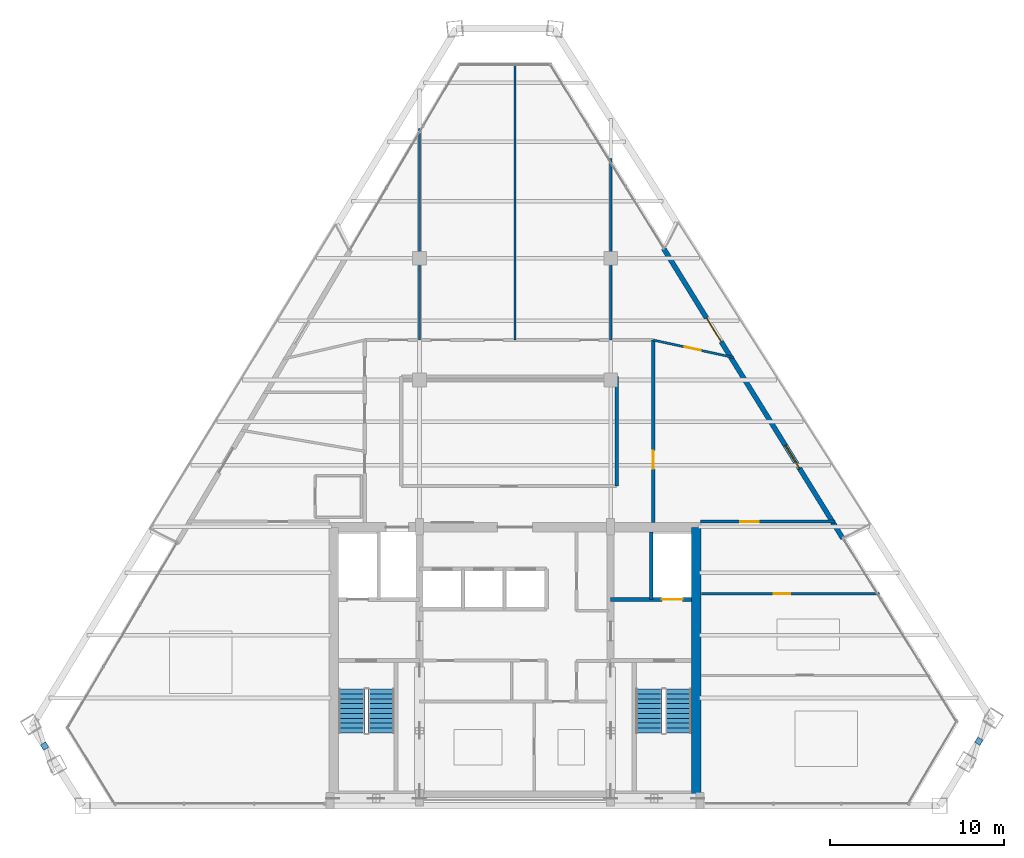
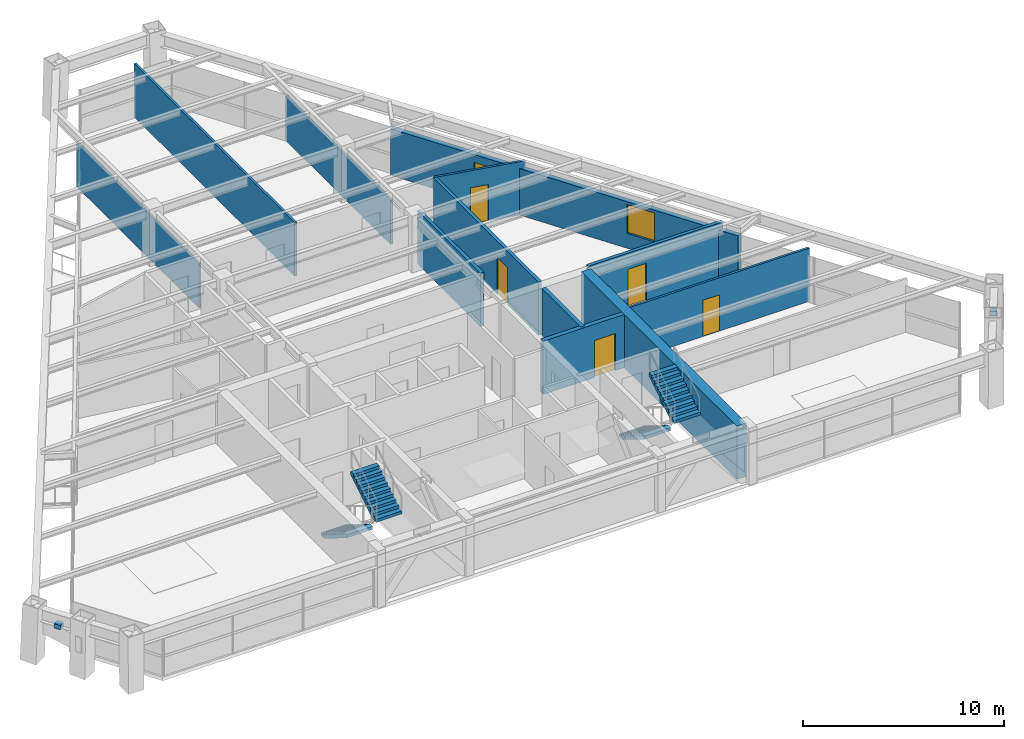
# One storey, part 11 of 13: 12 walls, 6 doors, 4 stair flights, 2 discrete accessories, 1 window, 7 openings, 2 elements without a shape of their own.
"""IFC4 building model written with IfcOpenShell, lengths in metres."""

import ifcopenshell
import ifcopenshell.guid

model = None  # the IFC model being written
_history = None  # IfcOwnerHistory: only IFC2X3 demands one
_inside = {}  # id of a spatial element -> (the spatial element, [elements in it])
_under = {}  # id of a project, library or spatial element -> (it, [spatial elements below it])
_declared = {}  # id of a project -> (the project, [libraries it declares])
_typed = {}  # id of a type object -> (the type object, [elements of that type])
_made_of = {}  # id of a material, layer set ... -> (it, [elements and type objects made of it])


def new_model(schema):
    """Start an empty IFC model of exactly this schema.

    Asked for "IFC4X3", IfcOpenShell would pick the latest addendum, in which some entities
    have other attributes; the version numbers below select the first issue.
    IFC2X3 requires an IfcOwnerHistory on every rooted entity: one is made here for all.
    """
    global model, _history
    if schema == "IFC4X3":
        model = ifcopenshell.file(schema_version=(4, 3, 0, 0))
    else:
        model = ifcopenshell.file(schema=schema)
    _inside.clear()
    _under.clear()
    _declared.clear()
    _typed.clear()
    _made_of.clear()
    _history = None
    if model.schema == "IFC2X3":
        org = make("IfcOrganization", Name="unknown")
        user = make(
            "IfcPersonAndOrganization",
            ThePerson=make("IfcPerson", FamilyName="unknown"),
            TheOrganization=org,
        )
        app = make(
            "IfcApplication",
            ApplicationDeveloper=org,
            Version="unknown",
            ApplicationFullName="unknown",
            ApplicationIdentifier="unknown",
        )
        _history = make(
            "IfcOwnerHistory",
            OwningUser=user,
            OwningApplication=app,
            ChangeAction="ADDED",
            CreationDate=0,
        )
    return model


def make(cls, **values):
    """One entity of the class cls with the attributes given. An attribute that is None is left unset."""
    return model.create_entity(
        cls, **{name: value for name, value in values.items() if value is not None}
    )


def rooted(cls, **values):
    """An entity with a GlobalId (a new one), such as an element, a storey or a relation."""
    return make(cls, GlobalId=ifcopenshell.guid.new(), OwnerHistory=_history, **values)


def si_unit(unit_type, name, prefix=None):
    """IfcSIUnit, for example si_unit("LENGTHUNIT", "METRE", prefix="MILLI")."""
    return make("IfcSIUnit", UnitType=unit_type, Prefix=prefix, Name=name)


def assignment(units):
    """IfcUnitAssignment: the units of a project."""
    return None if units is None else make("IfcUnitAssignment", Units=units)


def point(xyz):
    """IfcCartesianPoint."""
    return None if xyz is None else make("IfcCartesianPoint", Coordinates=xyz)


def direction(xyz):
    """IfcDirection."""
    return None if xyz is None else make("IfcDirection", DirectionRatios=xyz)


def frame(location, z_axis=None, x_axis=None):
    """IfcAxis2Placement3D, a coordinate frame: its origin and axes. An axis left out is left unset."""
    return make(
        "IfcAxis2Placement3D",
        Location=point(location),
        Axis=direction(z_axis),
        RefDirection=direction(x_axis),
    )


def frame_2d(location, x_axis=None):
    """IfcAxis2Placement2D, a coordinate frame in the plane: its origin and x axis."""
    return make(
        "IfcAxis2Placement2D", Location=point(location), RefDirection=direction(x_axis)
    )


def origin():
    """The frame at (0, 0, 0) with its axes left unset."""
    return frame((0.0, 0.0, 0.0))


def origin_2d():
    """The frame at (0, 0) in the plane with its x axis left unset."""
    return frame_2d((0.0, 0.0))


def place(relative_to, where):
    """IfcLocalPlacement: puts the frame where relative to a parent placement (None: the world)."""
    return make(
        "IfcLocalPlacement", PlacementRelTo=relative_to, RelativePlacement=where
    )


def context(
    kind, dimensions, precision=None, world=None, true_north=None, identifier=None
):
    """IfcGeometricRepresentationContext, for example the 3D "Model" context."""
    return make(
        "IfcGeometricRepresentationContext",
        ContextIdentifier=identifier,
        ContextType=kind,
        CoordinateSpaceDimension=dimensions,
        Precision=precision,
        WorldCoordinateSystem=world,
        TrueNorth=true_north,
    )


def subcontext(parent, identifier, kind, view, scale=None):
    """IfcGeometricRepresentationSubContext, for example "Body" below "Model"."""
    return make(
        "IfcGeometricRepresentationSubContext",
        ContextIdentifier=identifier,
        ContextType=kind,
        ParentContext=parent,
        TargetScale=scale,
        TargetView=view,
    )


def project(units=None, contexts=None):
    """IfcProject with its units and contexts."""
    return rooted(
        "IfcProject",
        Name="project",
        RepresentationContexts=contexts,
        UnitsInContext=assignment(units),
    )


def spatial(cls, under=None, at=None, **own):
    """A site, building, storey or space (cls), placed at a placement, below another one or the project."""
    s = rooted(cls, ObjectPlacement=at, **own)
    if under is not None:
        _under.setdefault(under.id(), (under, []))[1].append(s)
    return s


def polyline(points):
    """IfcPolyline through the points."""
    return make("IfcPolyline", Points=[point(p) for p in points])


def profile(cls, at=None, kind="AREA", **sizes):
    """A parametric profile (cls). Its sizes go by their IFC names, for example OverallWidth=200.0."""
    return make(cls, ProfileType=kind, Position=at, **sizes)


def rectangle(**sizes):
    """IfcRectangleProfileDef."""
    return profile("IfcRectangleProfileDef", **sizes)


def outline(outer, holes=None, kind="AREA"):
    """IfcArbitraryClosedProfileDef: a profile drawn as a closed curve; with holes, ...WithVoids."""
    if holes is None:
        return make("IfcArbitraryClosedProfileDef", ProfileType=kind, OuterCurve=outer)
    return make(
        "IfcArbitraryProfileDefWithVoids",
        ProfileType=kind,
        OuterCurve=outer,
        InnerCurves=holes,
    )


def extrude(swept, where, along, depth):
    """IfcExtrudedAreaSolid: the profile swept, set in the frame where, extruded along a direction by depth."""
    return make(
        "IfcExtrudedAreaSolid",
        SweptArea=swept,
        Position=where,
        ExtrudedDirection=direction(along),
        Depth=depth,
    )


def shape(context_of_items, identifier, shape_type, items):
    """IfcShapeRepresentation: the items that make up one representation, for example the "Body"."""
    return make(
        "IfcShapeRepresentation",
        ContextOfItems=context_of_items,
        RepresentationIdentifier=identifier,
        RepresentationType=shape_type,
        Items=items,
    )


def source(mapping_origin, context_of_items, identifier, shape_type, items):
    """IfcRepresentationMap: a shape defined once, which mapped items show again and again."""
    return make(
        "IfcRepresentationMap",
        MappingOrigin=mapping_origin,
        MappedRepresentation=shape(context_of_items, identifier, shape_type, items),
    )


def transform(
    local_origin,
    x_axis=None,
    y_axis=None,
    z_axis=None,
    scale=None,
    scale2=None,
    scale3=None,
    uniform=True,
):
    """IfcCartesianTransformationOperator3D, or its non-uniform kind. x_axis, y_axis, z_axis: its Axis1, 2, 3."""
    if uniform:
        return make(
            "IfcCartesianTransformationOperator3D",
            Axis1=direction(x_axis),
            Axis2=direction(y_axis),
            LocalOrigin=point(local_origin),
            Scale=scale,
            Axis3=direction(z_axis),
        )
    return make(
        "IfcCartesianTransformationOperator3DnonUniform",
        Axis1=direction(x_axis),
        Axis2=direction(y_axis),
        LocalOrigin=point(local_origin),
        Scale=scale,
        Axis3=direction(z_axis),
        Scale2=scale2,
        Scale3=scale3,
    )


def mapped(mapping_source, mapping_target):
    """IfcMappedItem: shows the shape of a source again, moved by a transform."""
    return make(
        "IfcMappedItem", MappingSource=mapping_source, MappingTarget=mapping_target
    )


def material(Name=None, Category=None):
    """IfcMaterial."""
    return make("IfcMaterial", Name=Name, Category=Category)


def layer(
    of_material, thickness, ventilated=None, Name=None, Category=None, Priority=None
):
    """IfcMaterialLayer: one layer of a wall or slab, of a material (None: an air gap)."""
    return make(
        "IfcMaterialLayer",
        Material=of_material,
        LayerThickness=thickness,
        IsVentilated=ventilated,
        Name=Name,
        Category=Category,
        Priority=Priority,
    )


def layer_set(layers, Name=None):
    """IfcMaterialLayerSet."""
    return make("IfcMaterialLayerSet", MaterialLayers=layers, LayerSetName=Name)


def made_of(thing, what):
    """Note that an element or type object is made of a material, layer set ...; save() writes the relation."""
    if what is not None:
        _made_of.setdefault(what.id(), (what, []))[1].append(thing)
    return thing


def type_object(cls, material=None, **own):
    """A type object (cls), such as IfcWallType, which elements share."""
    return made_of(rooted(cls, **own), material)


def type_shapes(of_type, sources):
    """Give a type object the sources (RepresentationMaps) that its elements show as mapped items."""
    of_type.RepresentationMaps = sources


def element(
    cls,
    number,
    at=None,
    inside=None,
    cuts=None,
    type_object=None,
    material=None,
    context=None,
    identifier="Body",
    shape_type=None,
    held_by="IfcProductDefinitionShape",
    body=None,
    shapes=None,
    **own,
):
    """One element of the class cls, such as IfcWall. Its Tag is "e" and its number.

    at: its placement. inside: the storey or other place that contains it. cuts: it is an
    opening in that element (IfcRelVoidsElement). A single representation is given by context,
    identifier, shape_type and body (its items); several are given by shapes. held_by: the class
    of the entity that holds the representations. save() writes the other relations.
    """
    e = rooted(cls, Tag="e%d" % number, ObjectPlacement=at, **own)
    if body is not None:
        shapes = [shape(context, identifier, shape_type, body)]
    if shapes is not None:
        e.Representation = make(held_by, Representations=shapes)
    if inside is not None:
        _inside.setdefault(inside.id(), (inside, []))[1].append(e)
    if cuts is not None:
        rooted(
            "IfcRelVoidsElement", RelatingBuildingElement=cuts, RelatedOpeningElement=e
        )
    if type_object is not None:
        _typed.setdefault(type_object.id(), (type_object, []))[1].append(e)
    return made_of(e, material)


def fill(opening, filler):
    """IfcRelFillsElement: the door or window that sits in an opening."""
    return rooted(
        "IfcRelFillsElement",
        RelatingOpeningElement=opening,
        RelatedBuildingElement=filler,
    )


def aggregate(whole, parts):
    """IfcRelAggregates: a whole, such as a stair, and the parts it consists of."""
    return rooted("IfcRelAggregates", RelatingObject=whole, RelatedObjects=parts)


def save(model, path):
    """Write the relations noted so far, then the file.

    IfcRelAggregates (storeys below a building ...), IfcRelContainedInSpatialStructure (elements
    in a storey), IfcRelDefinesByType, IfcRelAssociatesMaterial and IfcRelDeclares: one each for
    every whole, place, type object, material and project.
    """
    for whole, parts in _under.values():
        aggregate(whole, parts)
    for where, things in _inside.values():
        rooted(
            "IfcRelContainedInSpatialStructure",
            RelatedElements=things,
            RelatingStructure=where,
        )
    for kind, things in _typed.values():
        rooted("IfcRelDefinesByType", RelatedObjects=things, RelatingType=kind)
    for what, things in _made_of.values():
        rooted("IfcRelAssociatesMaterial", RelatedObjects=things, RelatingMaterial=what)
    for by, libraries in _declared.values():
        rooted("IfcRelDeclares", RelatingContext=by, RelatedDefinitions=libraries)
    model.write(path)


model = new_model("IFC4")

# Units and contexts
model_context = context("Model", 3, precision=1e-05, world=origin(), true_north=direction((0.0, 1.0)))
body_context = subcontext(model_context, "Body", "Model", "MODEL_VIEW")
ifc_project = project(units=[si_unit("LENGTHUNIT", "METRE"), si_unit("AREAUNIT", "SQUARE_METRE"), si_unit("VOLUMEUNIT", "CUBIC_METRE"), si_unit("PLANEANGLEUNIT", "RADIAN"), si_unit("MASSUNIT", "GRAM", prefix="KILO")], contexts=[model_context])

# Site, building, storey
site_placement = place(None, origin())
site = spatial("IfcSite", under=ifc_project, at=site_placement, CompositionType="ELEMENT")
building_placement = place(site_placement, origin())
building = spatial("IfcBuilding", under=site, at=building_placement, Name="Varnakhor Terracotta Tower", CompositionType="ELEMENT")
storey_placement = place(building_placement, frame((0.0, 0.0, 237.25)))
storey = spatial("IfcBuildingStorey", under=building, at=storey_placement, Name="L61", CompositionType="ELEMENT", Elevation=237.25)

# Walls
ifc_material_1 = material(Name="Concrete C50/60", Category="concrete")
ifc_layer_1 = layer(ifc_material_1, 0.550048828125, Name="Concrete C50/60")
ifc_layer_set_1 = layer_set([ifc_layer_1], Name="Concrete C50/60")
wall_type_1 = type_object("IfcWallType", Name="WAL-CORE-550", PredefinedType="SHEAR", material=ifc_layer_set_1)
wall_1_placement = place(storey_placement, frame((10.425048828125, 0.574951171875, 0.0), z_axis=(0.0, 0.0, 1.0), x_axis=(0.0, 1.0, 0.0)))
element("IfcWall", 1, at=wall_1_placement, inside=storey, type_object=wall_type_1, Name="L61 East Core Shear Wall", PredefinedType="SHEAR", context=body_context, shape_type="SweptSolid", body=[
    extrude(rectangle(XDim=15.449951171875, YDim=0.550048828125, at=frame_2d((7.72509765625, 0.0))), origin(), (0.0, 0.0, 1.0), 3.239990234375),
])
ifc_material_2 = material(Name="Fire-Rated Gypsum Stud Partition", Category="gypsum")
ifc_layer_2 = layer(ifc_material_2, 0.18505859375, Name="Fire-Rated Gypsum Stud Partition")
ifc_layer_set_2 = layer_set([ifc_layer_2], Name="Fire-Rated Gypsum Stud Partition")
wall_type_2 = type_object("IfcWallType", Name="WAL-CORR-185", PredefinedType="PARTITIONING", material=ifc_layer_set_2)
wall_2_placement = place(storey_placement, frame((5.85009765625, 18.39990234375, 0.0), z_axis=(0.0, 0.0, 1.0), x_axis=(0.0, 1.0, 0.0)))
element("IfcWall", 2, at=wall_2_placement, inside=storey, type_object=wall_type_2, Name="L61 Ring Inner East Wall", PredefinedType="PARTITIONING", context=body_context, shape_type="SweptSolid", body=[
    extrude(rectangle(XDim=6.300048828125, YDim=0.18505859375, at=frame_2d((3.14990234375, 0.0))), origin(), (0.0, 0.0, 1.0), 3.23193359375),
])

# Wall, opening, door
wall_3_placement = place(storey_placement, frame((7.949951171875, 16.300048828125, 0.0), z_axis=(0.0, 0.0, 1.0), x_axis=(0.0, 1.0, 0.0)))
wall_3 = element("IfcWall", 3, at=wall_3_placement, inside=storey, type_object=wall_type_2, Name="L61 Hotel East Corridor Wall", PredefinedType="PARTITIONING", context=body_context, shape_type="SweptSolid", body=[
    extrude(rectangle(XDim=10.5, YDim=0.18505859375, at=frame_2d((5.25, 0.0))), origin(), (0.0, 0.0, 1.0), 3.23193359375),
])
opening_1_placement = place(wall_3_placement, frame((3.08837890625, 0.0, 0.0)))
opening_1 = element("IfcOpeningElement", 4, at=opening_1_placement, cuts=wall_3, Name="Opening DR-95", PredefinedType="OPENING", context=body_context, shape_type="SweptSolid", body=[
    extrude(rectangle(XDim=1.050048828125, YDim=2.25, at=frame_2d((0.52490234375, 1.125))), frame((0.0, 0.1025390625, 0.0), z_axis=(0.0, -1.0, 0.0), x_axis=(1.0, 0.0, 0.0)), (0.0, 0.0, 1.0), 0.205078125),
])
ifc_material_3 = material(Name="Solid-Core Timber Tenant/Hotel Entrance Door", Category="wood")
door_type_1 = type_object("IfcDoorType", Name="DR-SUITE-1050X2250", OperationType="NOTDEFINED", PredefinedType="DOOR", material=ifc_material_3)
shared_shape_1 = source(origin(), body_context, "Body", "SweptSolid", [
    extrude(rectangle(XDim=1.050048828125, YDim=2.25, at=frame_2d((0.52490234375, 1.125))), frame((0.0, 0.02490234375, 0.0), z_axis=(0.0, -1.0, 0.0), x_axis=(1.0, 0.0, 0.0)), (0.0, 0.0, 1.0), 0.050048828125),
])
type_shapes(door_type_1, [shared_shape_1])
door_1_placement = place(opening_1_placement, origin())
door_1 = element("IfcDoor", 5, at=door_1_placement, inside=storey, type_object=door_type_1, Name="L61 East Room 1 Entry Door", OperationType="SINGLE_SWING_LEFT", OverallHeight=2.25, OverallWidth=1.050048828125, PredefinedType="DOOR", context=body_context, shape_type="MappedRepresentation", body=[
    mapped(shared_shape_1, transform((0.0, 0.0, 0.0), scale=1.0)),
])
fill(opening_1, door_1)

wall_4_placement = place(storey_placement, frame((10.679931640625, 16.35009765625, 0.0), z_axis=(0.0, 0.0, 1.0), x_axis=(1.0, 0.0, 0.0)))
wall_4 = element("IfcWall", 6, at=wall_4_placement, inside=storey, type_object=wall_type_2, Name="L61 South East Guest Entry Wall", PredefinedType="PARTITIONING", context=body_context, shape_type="SweptSolid", body=[
    extrude(rectangle(XDim=7.7373046875, YDim=0.18505859375, at=frame_2d((3.86865234375, 0.0))), origin(), (0.0, 0.0, 1.0), 3.23193359375),
])
opening_2_placement = place(wall_4_placement, frame((2.284912109375, 0.0, 0.0)))
opening_2 = element("IfcOpeningElement", 7, at=opening_2_placement, cuts=wall_4, Name="Opening DR-95", PredefinedType="OPENING", context=body_context, shape_type="SweptSolid", body=[
    extrude(rectangle(XDim=1.050048828125, YDim=2.25, at=frame_2d((0.52490234375, 1.125))), frame((0.0, 0.1025390625, 0.0), z_axis=(0.0, -1.0, 0.0), x_axis=(1.0, 0.0, 0.0)), (0.0, 0.0, 1.0), 0.205078125),
])
door_2_placement = place(opening_2_placement, origin())
door_2 = element("IfcDoor", 8, at=door_2_placement, inside=storey, type_object=door_type_1, Name="L61 SE Suite Entry Door", OperationType="SINGLE_SWING_RIGHT", OverallHeight=2.25, OverallWidth=1.050048828125, PredefinedType="DOOR", context=body_context, shape_type="MappedRepresentation", body=[
    mapped(shared_shape_1, transform((0.0, 0.0, 0.0), scale=1.0)),
])
fill(opening_2, door_2)

# Wall, openings, door, window
ifc_material_4 = material(Name="Extruded Architectural Terracotta Assembly", Category="masonry")
ifc_layer_3 = layer(ifc_material_4, 0.280029296875, Name="Extruded Architectural Terracotta Assembly")
ifc_layer_set_3 = layer_set([ifc_layer_3], Name="Extruded Architectural Terracotta Assembly")
wall_type_3 = type_object("IfcWallType", Name="WAL-EXT-TERRACOTTA-280", PredefinedType="SOLIDWALL", material=ifc_layer_set_3)
wall_5_placement = place(storey_placement, frame((8.544677734375, 32.07177734375, 0.0), z_axis=(0.0, 0.0, 1.0), x_axis=(0.52585107611, -0.850576654837, 0.0)))
wall_5 = element("IfcWall", 9, at=wall_5_placement, inside=storey, type_object=wall_type_3, Name="L61 E Loggia Insulated Terracotta Wall", PredefinedType="SOLIDWALL", context=body_context, shape_type="SweptSolid", body=[
    extrude(rectangle(XDim=19.6162109375, YDim=0.280029296875, at=frame_2d((9.80810546875, 0.0))), origin(), (0.0, 0.0, 1.0), 2.820068359375),
])
opening_3_placement = place(wall_5_placement, frame((4.7080078125, 0.0, 0.0)))
opening_3 = element("IfcOpeningElement", 10, at=opening_3_placement, cuts=wall_5, Name="Opening DR-62", PredefinedType="OPENING", context=body_context, shape_type="SweptSolid", body=[
    extrude(rectangle(XDim=1.60009765625, YDim=2.35009765625, at=frame_2d((0.800048828125, 1.175048828125))), frame((0.0, 0.14990234375, 0.0), z_axis=(0.0, -1.0, 0.0), x_axis=(1.0, 0.0, 0.0)), (0.0, 0.0, 1.0), 0.300048828125),
])
opening_4_placement = place(wall_5_placement, frame((13.339111328125, 0.0, 0.89990234375)))
opening_4 = element("IfcOpeningElement", 11, at=opening_4_placement, cuts=wall_5, Name="Opening WN-59", PredefinedType="OPENING", context=body_context, shape_type="SweptSolid", body=[
    extrude(rectangle(XDim=1.550048828125, YDim=1.75, at=frame_2d((0.77490234375, 0.875))), frame((0.0, 0.14990234375, 0.0), z_axis=(0.0, -1.0, 0.0), x_axis=(1.0, 0.0, 0.0)), (0.0, 0.0, 1.0), 0.300048828125),
])
ifc_material_5 = material(Name="Thermally Broken Sliding Glass Loggia Door", Category="glass")
door_type_2 = type_object("IfcDoorType", Name="DR-EXT-LOGGIA-1600X2350", OperationType="NOTDEFINED", PredefinedType="DOOR", material=ifc_material_5)
shared_shape_2 = source(origin(), body_context, "Body", "SweptSolid", [
    extrude(rectangle(XDim=1.60009765625, YDim=2.35009765625, at=frame_2d((0.800048828125, 1.175048828125))), frame((0.0, 0.02490234375, 0.0), z_axis=(0.0, -1.0, 0.0), x_axis=(1.0, 0.0, 0.0)), (0.0, 0.0, 1.0), 0.050048828125),
])
type_shapes(door_type_2, [shared_shape_2])
door_3_placement = place(opening_3_placement, origin())
door_3 = element("IfcDoor", 12, at=door_3_placement, inside=storey, type_object=door_type_2, Name="L61 E Recessed Loggia Sliding Door", OperationType="SLIDING_TO_RIGHT", OverallHeight=2.35009765625, OverallWidth=1.60009765625, PredefinedType="DOOR", context=body_context, shape_type="MappedRepresentation", body=[
    mapped(shared_shape_2, transform((0.0, 0.0, 0.0), scale=1.0)),
])
fill(opening_3, door_3)
ifc_material_6 = material(Name="Solar-Control Low-E Insulated Glass Unit", Category="glass")
window_type = type_object("IfcWindowType", Name="WIN-HTL-1500X1950", PartitioningType="SINGLE_PANEL", PredefinedType="WINDOW", material=ifc_material_6)
shared_shape_3 = source(origin(), body_context, "Body", "SweptSolid", [
    extrude(rectangle(XDim=1.550048828125, YDim=1.75, at=frame_2d((0.77490234375, 0.875))), frame((0.0, 0.030029296875, 0.0), z_axis=(0.0, -1.0, 0.0), x_axis=(1.0, 0.0, 0.0)), (0.0, 0.0, 1.0), 0.06005859375),
])
type_shapes(window_type, [shared_shape_3])
window_placement = place(opening_4_placement, origin())
window = element("IfcWindow", 13, at=window_placement, inside=storey, type_object=window_type, Name="L61 E Facet Punched Window", OverallHeight=1.75, OverallWidth=1.550048828125, PartitioningType="SINGLE_PANEL", PredefinedType="WINDOW", context=body_context, shape_type="MappedRepresentation", body=[
    mapped(shared_shape_3, transform((0.0, 0.0, 0.0), scale=1.0)),
])
fill(opening_4, window)

# Wall, opening, door
ifc_material_7 = material(Name="Acoustic Hotel Room Partition", Category="gypsum")
ifc_layer_4 = layer(ifc_material_7, 0.1298828125, Name="Acoustic Hotel Room Partition")
ifc_layer_set_4 = layer_set([ifc_layer_4], Name="Acoustic Hotel Room Partition")
wall_type_4 = type_object("IfcWallType", Name="WAL-PART-130", PredefinedType="PARTITIONING", material=ifc_layer_set_4)
wall_6_placement = place(storey_placement, frame((7.949951171875, 26.800048828125, 0.0), z_axis=(0.0, 0.0, 1.0), x_axis=(0.977283281689, -0.211937224976, 0.0)))
wall_6 = element("IfcWall", 14, at=wall_6_placement, inside=storey, type_object=wall_type_4, Name="L61 North East Suite South Wall", PredefinedType="PARTITIONING", context=body_context, shape_type="SweptSolid", body=[
    extrude(rectangle(XDim=4.734619140625, YDim=0.1298828125, at=frame_2d((2.3671875, 0.0))), origin(), (0.0, 0.0, 1.0), 3.23193359375),
])
opening_5_placement = place(wall_6_placement, frame((1.84912109375, 0.0, 0.0)))
opening_5 = element("IfcOpeningElement", 15, at=opening_5_placement, cuts=wall_6, Name="Opening DR-94", PredefinedType="OPENING", context=body_context, shape_type="SweptSolid", body=[
    extrude(rectangle(XDim=0.949951171875, YDim=2.199951171875, at=frame_2d((0.47509765625, 1.10009765625))), frame((0.0, 0.074951171875, 0.0), z_axis=(0.0, -1.0, 0.0), x_axis=(1.0, 0.0, 0.0)), (0.0, 0.0, 1.0), 0.14990234375),
])
ifc_material_8 = material(Name="Acoustic Glazed-Vision Timber Office Door", Category="wood")
door_type_3 = type_object("IfcDoorType", Name="DR-OFF-950X2200", OperationType="NOTDEFINED", PredefinedType="DOOR", material=ifc_material_8)
shared_shape_4 = source(origin(), body_context, "Body", "SweptSolid", [
    extrude(rectangle(XDim=0.949951171875, YDim=2.199951171875, at=frame_2d((0.47509765625, 1.10009765625))), frame((0.0, 0.02490234375, 0.0), z_axis=(0.0, -1.0, 0.0), x_axis=(1.0, 0.0, 0.0)), (0.0, 0.0, 1.0), 0.050048828125),
])
type_shapes(door_type_3, [shared_shape_4])
door_4_placement = place(opening_5_placement, origin())
door_4 = element("IfcDoor", 16, at=door_4_placement, inside=storey, type_object=door_type_3, Name="L61 Club Concierge Reception NE Door", OperationType="SINGLE_SWING_LEFT", OverallHeight=2.199951171875, OverallWidth=0.949951171875, PredefinedType="DOOR", context=body_context, shape_type="MappedRepresentation", body=[
    mapped(shared_shape_4, transform((0.0, 0.0, 0.0), scale=1.0)),
])
fill(opening_5, door_4)

# Walls
wall_7_placement = place(storey_placement, frame((-5.5, 26.800048828125, 0.0), z_axis=(0.0, 0.0, 1.0), x_axis=(0.0, 1.0, 0.0)))
element("IfcWall", 17, at=wall_7_placement, inside=storey, type_object=wall_type_4, Name="L61 North West Column Wall", PredefinedType="PARTITIONING", context=body_context, shape_type="SweptSolid", body=[
    extrude(rectangle(XDim=12.168701171875, YDim=0.1298828125, at=frame_2d((6.08447265625, 0.0))), origin(), (0.0, 0.0, 1.0), 2.68310546875),
])
wall_8_placement = place(storey_placement, frame((5.5, 26.800048828125, 0.0), z_axis=(0.0, 0.0, 1.0), x_axis=(0.0, 1.0, 0.0)))
element("IfcWall", 18, at=wall_8_placement, inside=storey, type_object=wall_type_4, Name="L61 North East Column Wall", PredefinedType="PARTITIONING", context=body_context, shape_type="SweptSolid", body=[
    extrude(rectangle(XDim=10.443603515625, YDim=0.1298828125, at=frame_2d((5.2216796875, 0.0))), origin(), (0.0, 0.0, 1.0), 2.68310546875),
])
wall_9_placement = place(storey_placement, frame((0.0, 26.800048828125, 0.0), z_axis=(0.0, 0.0, 1.0), x_axis=(0.0, 1.0, 0.0)))
element("IfcWall", 19, at=wall_9_placement, inside=storey, type_object=wall_type_4, Name="L61 North Suite Split 1", PredefinedType="PARTITIONING", context=body_context, shape_type="SweptSolid", body=[
    extrude(rectangle(XDim=15.953125, YDim=0.1298828125, at=frame_2d((7.9765625, 0.0))), origin(), (0.0, 0.0, 1.0), 3.23193359375),
])

# Wall, opening, door
wall_10_placement = place(storey_placement, frame((10.719970703125, 12.199951171875, 0.0), z_axis=(0.0, 0.0, 1.0), x_axis=(1.0, 0.0, 0.0)))
wall_10 = element("IfcWall", 20, at=wall_10_placement, inside=storey, type_object=wall_type_4, Name="L61 SE Key Split 2", PredefinedType="PARTITIONING", context=body_context, shape_type="SweptSolid", body=[
    extrude(rectangle(XDim=10.262939453125, YDim=0.1298828125, at=frame_2d((5.13134765625, 0.0))), origin(), (0.0, 0.0, 1.0), 3.23193359375),
])
opening_6_placement = place(wall_10_placement, frame((4.17724609375, 0.0, 0.0)))
opening_6 = element("IfcOpeningElement", 21, at=opening_6_placement, cuts=wall_10, Name="Opening DR-94", PredefinedType="OPENING", context=body_context, shape_type="SweptSolid", body=[
    extrude(rectangle(XDim=0.949951171875, YDim=2.199951171875, at=frame_2d((0.47509765625, 1.10009765625))), frame((0.0, 0.074951171875, 0.0), z_axis=(0.0, -1.0, 0.0), x_axis=(1.0, 0.0, 0.0)), (0.0, 0.0, 1.0), 0.14990234375),
])
door_5_placement = place(opening_6_placement, origin())
door_5 = element("IfcDoor", 22, at=door_5_placement, inside=storey, type_object=door_type_3, Name="L61 SE Suite Connect Door 2", OperationType="SINGLE_SWING_RIGHT", OverallHeight=2.199951171875, OverallWidth=0.949951171875, PredefinedType="DOOR", context=body_context, shape_type="MappedRepresentation", body=[
    mapped(shared_shape_4, transform((0.0, 0.0, 0.0), scale=1.0)),
])
fill(opening_6, door_5)

# Wall
ifc_material_9 = material(Name="Concrete C40/50", Category="concrete")
ifc_layer_5 = layer(ifc_material_9, 0.219970703125, Name="Concrete C40/50")
ifc_layer_set_5 = layer_set([ifc_layer_5], Name="Concrete C40/50")
wall_type_5 = type_object("IfcWallType", Name="WAL-SHAFT-220", PredefinedType="SOLIDWALL", material=ifc_layer_set_5)
wall_11_placement = place(storey_placement, frame((7.840087890625, 11.8701171875, 0.0), z_axis=(0.0, 0.0, 1.0), x_axis=(0.0, 1.0, 0.0)))
element("IfcWall", 23, at=wall_11_placement, inside=storey, type_object=wall_type_5, Name="L61 Lift FFL-2 and Riser Divider Wall", PredefinedType="SOLIDWALL", context=body_context, shape_type="SweptSolid", body=[
    extrude(rectangle(XDim=3.8798828125, YDim=0.219970703125, at=frame_2d((1.93994140625, 0.0))), origin(), (0.0, 0.0, 1.0), 3.239990234375),
])

# Wall, opening, door
ifc_layer_6 = layer(ifc_material_9, 0.25, Name="Concrete C40/50")
ifc_layer_set_6 = layer_set([ifc_layer_6], Name="Concrete C40/50")
wall_type_6 = type_object("IfcWallType", Name="WAL-SHAFT-250", PredefinedType="SOLIDWALL", material=ifc_layer_set_6)
wall_12_placement = place(storey_placement, frame((10.14990234375, 11.8701171875, 0.0), z_axis=(0.0, 0.0, 1.0), x_axis=(-1.0, 0.0, 0.0)))
wall_12 = element("IfcWall", 24, at=wall_12_placement, inside=storey, type_object=wall_type_6, Name="L61 Lift FFL-2 Shaft Front Wall", PredefinedType="SOLIDWALL", context=body_context, shape_type="SweptSolid", body=[
    extrude(rectangle(XDim=4.64990234375, YDim=0.25, at=frame_2d((2.324951171875, 0.0))), origin(), (0.0, 0.0, 1.0), 3.239990234375),
])
opening_7_placement = place(wall_12_placement, frame((0.5, 0.0, 0.0)))
opening_7 = element("IfcOpeningElement", 25, at=opening_7_placement, cuts=wall_12, Name="Opening LD-02", PredefinedType="OPENING", context=body_context, shape_type="SweptSolid", body=[
    extrude(rectangle(XDim=1.199951171875, YDim=2.25, at=frame_2d((0.60009765625, 1.125))), frame((0.0, 0.135009765625, 0.0), z_axis=(0.0, -1.0, 0.0), x_axis=(1.0, 0.0, 0.0)), (0.0, 0.0, 1.0), 0.27001953125),
])
ifc_material_10 = material(Name="Firefighting Stretcher Sliding Lift Landing Door", Category="steel")
door_type_4 = type_object("IfcDoorType", Name="LD-FFL-1200X2250", OperationType="NOTDEFINED", PredefinedType="DOOR", material=ifc_material_10)
shared_shape_5 = source(origin(), body_context, "Body", "SweptSolid", [
    extrude(rectangle(XDim=1.199951171875, YDim=2.25, at=frame_2d((0.60009765625, 1.125))), frame((0.0, 0.02490234375, 0.0), z_axis=(0.0, -1.0, 0.0), x_axis=(1.0, 0.0, 0.0)), (0.0, 0.0, 1.0), 0.050048828125),
])
type_shapes(door_type_4, [shared_shape_5])
door_6_placement = place(opening_7_placement, origin())
door_6 = element("IfcDoor", 26, at=door_6_placement, inside=storey, type_object=door_type_4, Name="L61 Firefighting Lift FFL-2 Landing Door", OperationType="SLIDING_TO_RIGHT", OverallHeight=2.25, OverallWidth=1.199951171875, PredefinedType="DOOR", context=body_context, shape_type="MappedRepresentation", body=[
    mapped(shared_shape_5, transform((0.0, 0.0, 0.0), scale=1.0)),
])
fill(opening_7, door_6)

# Stair, stair flights
stair_type = type_object("IfcStairType", Name="STR-CORE-HOTEL-1500", PredefinedType="HALF_TURN_STAIR", material=ifc_material_9)
stair_1_placement = place(storey_placement, origin())
stair_1 = element("IfcStair", 27, at=stair_1_placement, inside=storey, type_object=stair_type, Name="L61 Core Exit Stair ST-1", PredefinedType="HALF_TURN_STAIR")
stair_flight_type = type_object("IfcStairFlightType", Name="FLT-HOTEL-1500", PredefinedType="STRAIGHT", material=ifc_material_9)
stair_flight_1_placement = place(storey_placement, frame((-9.39990234375, 6.7099609375, 0.0), z_axis=(0.0, 0.0, 1.0), x_axis=(0.0, -1.0, 0.0)))
stair_flight_1 = element("IfcStairFlight", 28, at=stair_flight_1_placement, type_object=stair_flight_type, Name="ST-1 flight 1", NumberOfRisers=10, NumberOfTreads=9, PredefinedType="STRAIGHT", RiserHeight=0.1725, TreadLength=0.28, context=body_context, shape_type="SweptSolid", body=[
    extrude(outline(polyline([(0.0, 0.0), (0.0, 0.172607421875), (0.280029296875, 0.172607421875), (0.280029296875, 0.344970703125), (0.56005859375, 0.344970703125), (0.56005859375, 0.517578125), (0.840087890625, 0.517578125), (0.840087890625, 0.68994140625), (1.1201171875, 0.68994140625), (1.1201171875, 0.862548828125), (1.39990234375, 0.862548828125), (1.39990234375, 1.034912109375), (1.679931640625, 1.034912109375), (1.679931640625, 1.20751953125), (1.9599609375, 1.20751953125), (1.9599609375, 1.3798828125), (2.239990234375, 1.3798828125), (2.239990234375, 1.552490234375), (2.52001953125, 1.552490234375), (2.52001953125, 1.72509765625), (2.52001953125, 1.36474609375), (0.304931640625, 0.0), (0.0, 0.0)])), frame((0.0, 0.75, 0.0), z_axis=(0.0, -1.0, 0.0), x_axis=(1.0, 0.0, 0.0)), (0.0, 0.0, 1.0), 1.5),
])
stair_flight_2_placement = place(storey_placement, frame((-7.699951171875, 4.18994140625, 1.72509765625), z_axis=(0.0, 0.0, 1.0), x_axis=(0.0, 1.0, 0.0)))
stair_flight_2 = element("IfcStairFlight", 29, at=stair_flight_2_placement, type_object=stair_flight_type, Name="ST-1 flight 2", NumberOfRisers=10, NumberOfTreads=9, PredefinedType="STRAIGHT", RiserHeight=0.1725, TreadLength=0.28, context=body_context, shape_type="SweptSolid", body=[
    extrude(outline(polyline([(0.0, 0.0), (0.0, 0.172607421875), (0.280029296875, 0.172607421875), (0.280029296875, 0.344970703125), (0.56005859375, 0.344970703125), (0.56005859375, 0.517578125), (0.840087890625, 0.517578125), (0.840087890625, 0.68994140625), (1.1201171875, 0.68994140625), (1.1201171875, 0.862548828125), (1.39990234375, 0.862548828125), (1.39990234375, 1.034912109375), (1.679931640625, 1.034912109375), (1.679931640625, 1.20751953125), (1.9599609375, 1.20751953125), (1.9599609375, 1.3798828125), (2.239990234375, 1.3798828125), (2.239990234375, 1.552490234375), (2.52001953125, 1.552490234375), (2.52001953125, 1.72509765625), (2.52001953125, 1.36474609375), (0.304931640625, 0.0), (0.0, 0.0)])), frame((0.0, 0.75, 0.0), z_axis=(0.0, -1.0, 0.0), x_axis=(1.0, 0.0, 0.0)), (0.0, 0.0, 1.0), 1.5),
])
aggregate(stair_1, [stair_flight_1, stair_flight_2])

stair_2_placement = place(storey_placement, origin())
stair_2 = element("IfcStair", 30, at=stair_2_placement, inside=storey, type_object=stair_type, Name="L61 Core Exit Stair ST-2", PredefinedType="HALF_TURN_STAIR")
stair_flight_3_placement = place(storey_placement, frame((7.699951171875, 6.7099609375, 0.0), z_axis=(0.0, 0.0, 1.0), x_axis=(0.0, -1.0, 0.0)))
stair_flight_3 = element("IfcStairFlight", 31, at=stair_flight_3_placement, type_object=stair_flight_type, Name="ST-2 flight 1", NumberOfRisers=10, NumberOfTreads=9, PredefinedType="STRAIGHT", RiserHeight=0.1725, TreadLength=0.28, context=body_context, shape_type="SweptSolid", body=[
    extrude(outline(polyline([(0.0, 0.0), (0.0, 0.172607421875), (0.280029296875, 0.172607421875), (0.280029296875, 0.344970703125), (0.56005859375, 0.344970703125), (0.56005859375, 0.517578125), (0.840087890625, 0.517578125), (0.840087890625, 0.68994140625), (1.1201171875, 0.68994140625), (1.1201171875, 0.862548828125), (1.39990234375, 0.862548828125), (1.39990234375, 1.034912109375), (1.679931640625, 1.034912109375), (1.679931640625, 1.20751953125), (1.9599609375, 1.20751953125), (1.9599609375, 1.3798828125), (2.239990234375, 1.3798828125), (2.239990234375, 1.552490234375), (2.52001953125, 1.552490234375), (2.52001953125, 1.72509765625), (2.52001953125, 1.36474609375), (0.304931640625, 0.0), (0.0, 0.0)])), frame((0.0, 0.75, 0.0), z_axis=(0.0, -1.0, 0.0), x_axis=(1.0, 0.0, 0.0)), (0.0, 0.0, 1.0), 1.5),
])
stair_flight_4_placement = place(storey_placement, frame((9.39990234375, 4.18994140625, 1.72509765625), z_axis=(0.0, 0.0, 1.0), x_axis=(0.0, 1.0, 0.0)))
stair_flight_4 = element("IfcStairFlight", 32, at=stair_flight_4_placement, type_object=stair_flight_type, Name="ST-2 flight 2", NumberOfRisers=10, NumberOfTreads=9, PredefinedType="STRAIGHT", RiserHeight=0.1725, TreadLength=0.28, context=body_context, shape_type="SweptSolid", body=[
    extrude(outline(polyline([(0.0, 0.0), (0.0, 0.172607421875), (0.280029296875, 0.172607421875), (0.280029296875, 0.344970703125), (0.56005859375, 0.344970703125), (0.56005859375, 0.517578125), (0.840087890625, 0.517578125), (0.840087890625, 0.68994140625), (1.1201171875, 0.68994140625), (1.1201171875, 0.862548828125), (1.39990234375, 0.862548828125), (1.39990234375, 1.034912109375), (1.679931640625, 1.034912109375), (1.679931640625, 1.20751953125), (1.9599609375, 1.20751953125), (1.9599609375, 1.3798828125), (2.239990234375, 1.3798828125), (2.239990234375, 1.552490234375), (2.52001953125, 1.552490234375), (2.52001953125, 1.72509765625), (2.52001953125, 1.36474609375), (0.304931640625, 0.0), (0.0, 0.0)])), frame((0.0, 0.75, 0.0), z_axis=(0.0, -1.0, 0.0), x_axis=(1.0, 0.0, 0.0)), (0.0, 0.0, 1.0), 1.5),
])
aggregate(stair_2, [stair_flight_3, stair_flight_4])

# Discrete accessories
ifc_material_11 = material(Name="Stainless Steel Fixing Bracket", Category="steel")
discrete_accessory_type = type_object("IfcDiscreteAccessoryType", Name="BRACKET-TERRACOTTA-SCREEN", PredefinedType="BRACKET", material=ifc_material_11)
shared_shape_6 = source(origin(), body_context, "Body", "SweptSolid", [
    extrude(rectangle(XDim=0.35009765625, YDim=0.35009765625, at=origin_2d()), origin(), (0.0, 0.0, 1.0), 0.280029296875),
])
type_shapes(discrete_accessory_type, [shared_shape_6])
for number, where, z_axis, x_axis, name in (
    (33, (26.693115234375, 3.712646484375, 2.3369140625), (0.0, 0.0, 1.0), (0.519668235165, 0.854368143929, 0.0), "L61 E Screen Fixing Bracket"),
    (34, (-27.07421875, 3.433837890625, 2.3369140625), (0.0, 0.0, 1.0), (0.535576254259, -0.844486871345, 0.0), "L61 W Screen Fixing Bracket"),
):
    element("IfcDiscreteAccessory", number, at=place(storey_placement, frame(where, z_axis=z_axis, x_axis=x_axis)), inside=storey, type_object=discrete_accessory_type, Name=name, PredefinedType="BRACKET", context=body_context, shape_type="MappedRepresentation", body=[
        mapped(shared_shape_6, transform((0.0, 0.0, 0.0), scale=1.0)),
    ])

save(model, "model.ifc")
